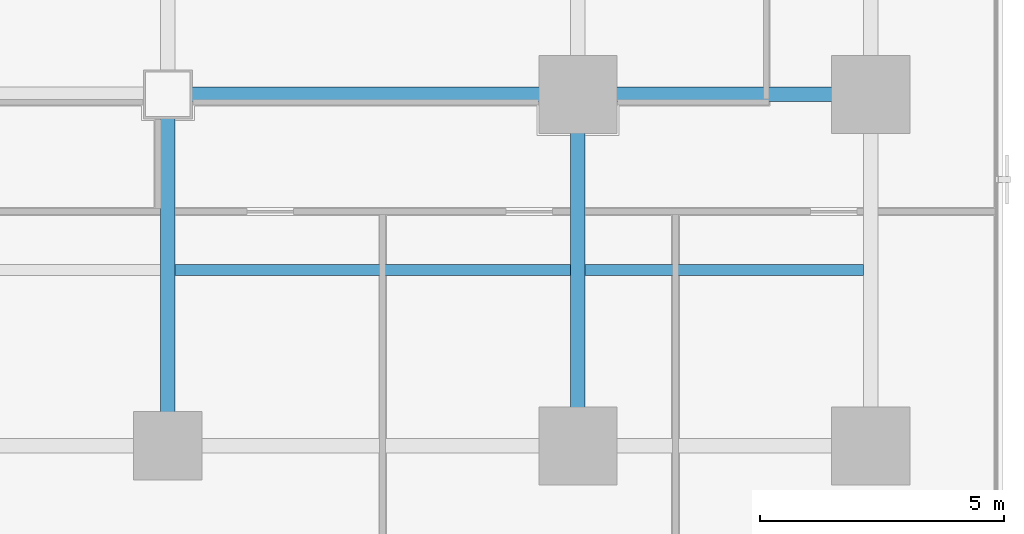
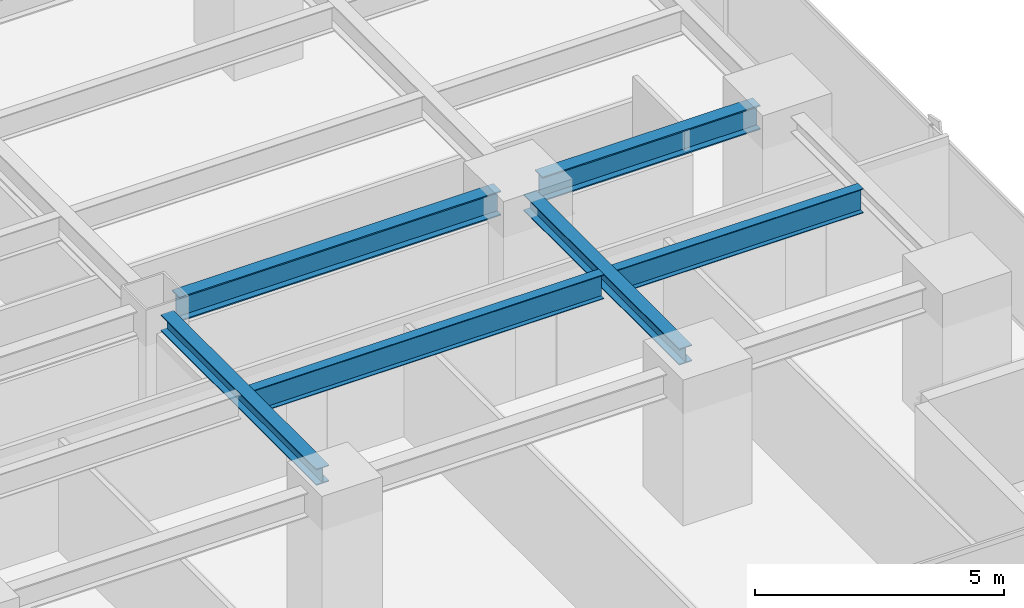
# One storey, part 13 of 36: 6 beams.
"""IFC4 building model written with IfcOpenShell, lengths in metres."""

from ifc_helpers import new_model, si_unit, direction, frame, origin, origin_2d, place, context, subcontext, project, spatial, i_section, extrude, source, transform, mapped, material, material_profile, profile_set, type_object, element, save


model = new_model("IFC4")

# Units and contexts
model_context = context("Model", 3, precision=1e-05, world=origin(), true_north=direction((0.0, 1.0)))
body_context = subcontext(model_context, "Body", "Model", "MODEL_VIEW")
ifc_project = project(units=[si_unit("LENGTHUNIT", "METRE"), si_unit("AREAUNIT", "SQUARE_METRE"), si_unit("VOLUMEUNIT", "CUBIC_METRE"), si_unit("PLANEANGLEUNIT", "RADIAN"), si_unit("MASSUNIT", "GRAM", prefix="KILO")], contexts=[model_context])

# Site, building, storey
site_placement = place(None, origin())
site = spatial("IfcSite", under=ifc_project, at=site_placement, CompositionType="ELEMENT")
building_placement = place(site_placement, origin())
building = spatial("IfcBuilding", under=site, at=building_placement, Name="Sumidabori Civic Tower", CompositionType="ELEMENT")
storey_placement = place(building_placement, frame((0.0, 0.0, 84.800048828125)))
storey = spatial("IfcBuildingStorey", under=building, at=storey_placement, Name="L21", CompositionType="ELEMENT", Elevation=84.800048828125)

# Beams
ifc_material = material(Name="Steel SN490", Category="steel")
ifc_material_profile_1 = material_profile(ifc_material, i_section(OverallWidth=0.300048828125, OverallDepth=0.60009765625, WebThickness=0.015380859375, FlangeThickness=0.030029296875, at=origin_2d()), Name="HE 600 B")
ifc_profile_set_1 = profile_set([ifc_material_profile_1], Name="Steel SN490")
beam_type_1 = type_object("IfcBeamType", Name="BM-GIRD-600", PredefinedType="BEAM", material=ifc_profile_set_1)
shared_shape_1 = source(origin(), body_context, "Body", "SweptSolid", [
    extrude(i_section(OverallWidth=0.300048828125, OverallDepth=0.60009765625, WebThickness=0.015380859375, FlangeThickness=0.030029296875, at=origin_2d()), origin(), (0.0, 0.0, 1.0), 5.0400390625),
])
beam_1_placement = place(storey_placement, frame((17.280029296875, -10.800048828125, 3.06005859375), z_axis=(1.0, 0.0, 0.0), x_axis=(0.0, 1.0, 0.0)))
element("IfcBeam", 1, at=beam_1_placement, inside=storey, type_object=beam_type_1, Name="Primary Girder L21 GX-12", PredefinedType="BEAM", context=body_context, shape_type="MappedRepresentation", body=[
    mapped(shared_shape_1, transform((0.0, 0.0, 0.0), x_axis=(1.0, 0.0, 0.0), y_axis=(0.0, 1.0, 0.0), z_axis=(0.0, 0.0, 1.0), scale=1.0)),
])
shared_shape_2 = source(origin(), body_context, "Body", "SweptSolid", [
    extrude(i_section(OverallWidth=0.300048828125, OverallDepth=0.60009765625, WebThickness=0.015380859375, FlangeThickness=0.030029296875, at=origin_2d()), origin(), (0.0, 0.0, 1.0), 7.440185546875),
])
beam_2_placement = place(storey_placement, frame((8.8798828125, -10.800048828125, 3.06005859375), z_axis=(1.0, 0.0, 0.0), x_axis=(0.0, 1.0, 0.0)))
element("IfcBeam", 2, at=beam_2_placement, inside=storey, type_object=beam_type_1, Name="Primary Girder L21 GX-11", PredefinedType="BEAM", context=body_context, shape_type="MappedRepresentation", body=[
    mapped(shared_shape_2, transform((0.0, 0.0, 0.0), x_axis=(1.0, 0.0, 0.0), y_axis=(0.0, 1.0, 0.0), z_axis=(0.0, 0.0, 1.0), scale=1.0)),
])
ifc_material_profile_2 = material_profile(ifc_material, i_section(OverallWidth=0.300048828125, OverallDepth=0.39990234375, WebThickness=0.013427734375, FlangeThickness=0.02392578125, at=origin_2d()), Name="HE 400 B")
ifc_profile_set_2 = profile_set([ifc_material_profile_2], Name="Steel SN490")
beam_type_2 = type_object("IfcBeamType", Name="BM-GIRD-400", PredefinedType="BEAM", material=ifc_profile_set_2)
shared_shape_3 = source(origin(), body_context, "Body", "SweptSolid", [
    extrude(i_section(OverallWidth=0.300048828125, OverallDepth=0.39990234375, WebThickness=0.013427734375, FlangeThickness=0.02392578125, at=origin_2d()), origin(), (0.0, 0.0, 1.0), 6.239990234375),
])
for number, where, z_axis, x_axis, name in (
    (3, (8.39990234375, -17.52001953125, 3.159912109375), (0.0, 1.0, 0.0), (-1.0, 0.0, 0.0), "Primary Girder L21 GY-33"),
    (4, (16.800048828125, -17.52001953125, 3.159912109375), (0.0, 1.0, 0.0), (-1.0, 0.0, 0.0), "Primary Girder L21 GY-35"),
):
    element("IfcBeam", number, at=place(storey_placement, frame(where, z_axis=z_axis, x_axis=x_axis)), inside=storey, type_object=beam_type_2, Name=name, PredefinedType="BEAM", context=body_context, shape_type="MappedRepresentation", body=[
        mapped(shared_shape_3, transform((0.0, 0.0, 0.0), x_axis=(1.0, 0.0, 0.0), y_axis=(0.0, 1.0, 0.0), z_axis=(0.0, 0.0, 1.0), scale=1.0)),
    ])
ifc_material_profile_3 = material_profile(ifc_material, i_section(OverallWidth=0.219970703125, OverallDepth=0.60009765625, WebThickness=0.011962890625, FlangeThickness=0.01904296875, at=origin_2d()), Name="IPE 600")
ifc_profile_set_3 = profile_set([ifc_material_profile_3], Name="Steel SN490")
beam_type_3 = type_object("IfcBeamType", Name="BM-JST-600", PredefinedType="JOIST", material=ifc_profile_set_3)
shared_shape_4 = source(origin(), body_context, "Body", "SweptSolid", [
    extrude(i_section(OverallWidth=0.219970703125, OverallDepth=0.60009765625, WebThickness=0.011962890625, FlangeThickness=0.01904296875, at=origin_2d()), origin(), (0.0, 0.0, 1.0), 5.699951171875),
])
beam_3_placement = place(storey_placement, frame((16.949951171875, -14.39990234375, 3.06005859375), z_axis=(1.0, 0.0, 0.0), x_axis=(0.0, 1.0, 0.0)))
element("IfcBeam", 5, at=beam_3_placement, inside=storey, type_object=beam_type_3, Name="Outer Bay Floor Joist L21 JSTO-52", PredefinedType="JOIST", context=body_context, shape_type="MappedRepresentation", body=[
    mapped(shared_shape_4, transform((0.0, 0.0, 0.0), x_axis=(1.0, 0.0, 0.0), y_axis=(0.0, 1.0, 0.0), z_axis=(0.0, 0.0, 1.0), scale=1.0)),
])
shared_shape_5 = source(origin(), body_context, "Body", "SweptSolid", [
    extrude(i_section(OverallWidth=0.219970703125, OverallDepth=0.60009765625, WebThickness=0.011962890625, FlangeThickness=0.01904296875, at=origin_2d()), origin(), (0.0, 0.0, 1.0), 8.099853515625),
])
beam_4_placement = place(storey_placement, frame((8.550048828125, -14.39990234375, 3.06005859375), z_axis=(1.0, 0.0, 0.0), x_axis=(0.0, 1.0, 0.0)))
element("IfcBeam", 6, at=beam_4_placement, inside=storey, type_object=beam_type_3, Name="South Bay Floor Joist L21 JSTS-58", PredefinedType="JOIST", context=body_context, shape_type="MappedRepresentation", body=[
    mapped(shared_shape_5, transform((0.0, 0.0, 0.0), x_axis=(1.0, 0.0, 0.0), y_axis=(0.0, 1.0, 0.0), z_axis=(0.0, 0.0, 1.0), scale=1.0)),
])

save(model, "model.ifc")
